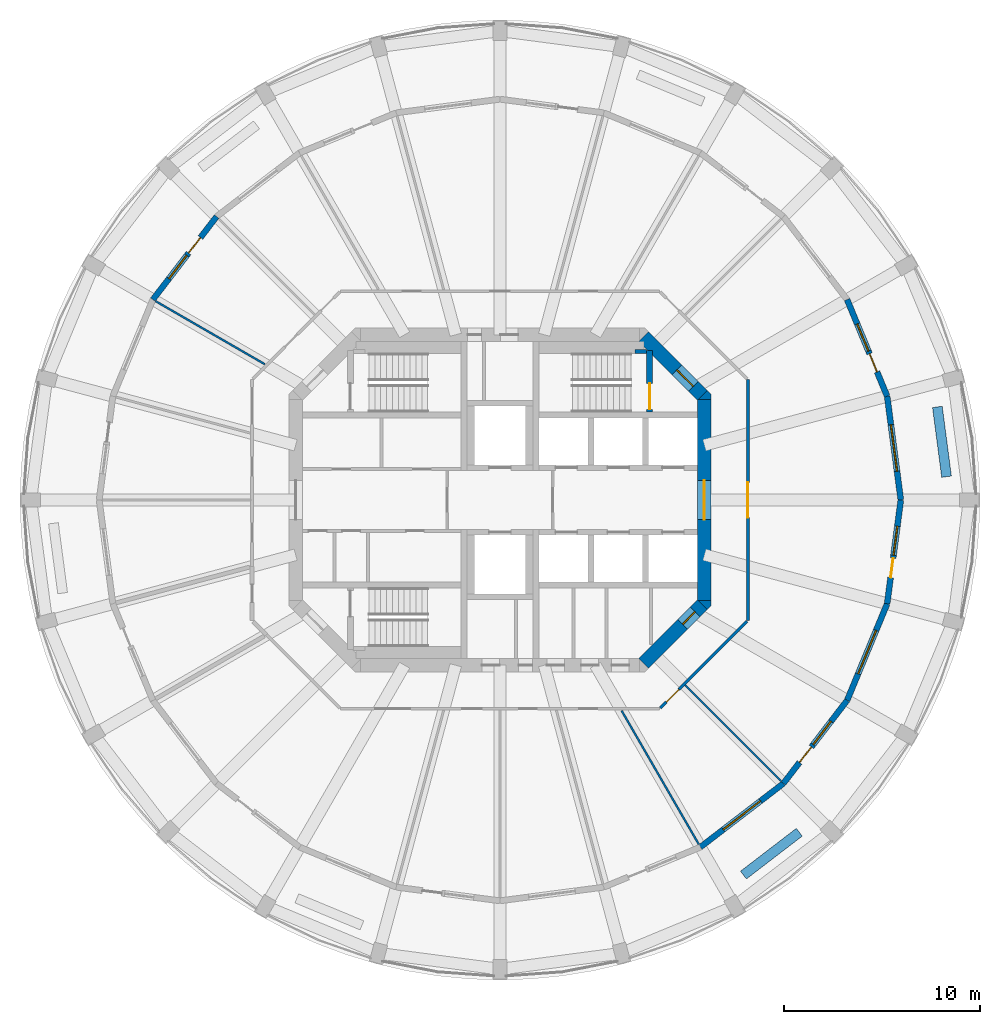
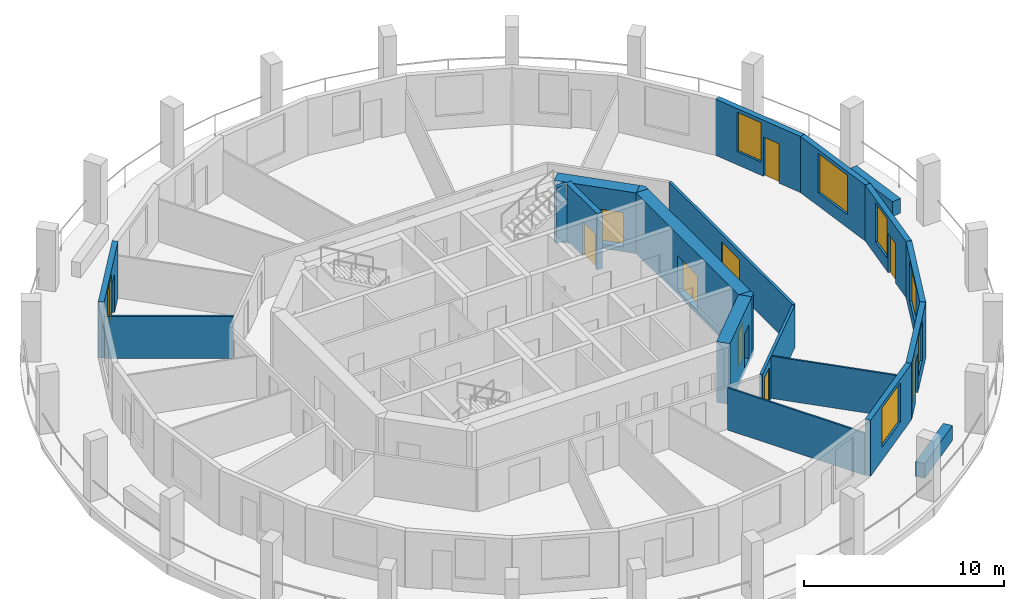
# One storey, part 5 of 9: 21 walls, 10 doors, 7 windows, 17 openings.
"""IFC4 building model written with IfcOpenShell, lengths in metres."""

from ifc_helpers import new_model, si_unit, direction, frame, frame_2d, origin, place, context, subcontext, project, spatial, polyline, rectangle, outline, extrude, material, layer, layer_set, type_object, element, fill, save


model = new_model("IFC4")

# Units and contexts
model_context = context("Model", 3, precision=1e-05, world=origin(), true_north=direction((0.0, 1.0)))
body_context = subcontext(model_context, "Body", "Model", "MODEL_VIEW")
ifc_project = project(units=[si_unit("LENGTHUNIT", "METRE"), si_unit("AREAUNIT", "SQUARE_METRE"), si_unit("VOLUMEUNIT", "CUBIC_METRE"), si_unit("PLANEANGLEUNIT", "RADIAN"), si_unit("MASSUNIT", "GRAM", prefix="KILO")], contexts=[model_context])

# Site, building, storey
site_placement = place(None, origin())
site = spatial("IfcSite", under=ifc_project, at=site_placement, CompositionType="ELEMENT")
building_placement = place(site_placement, origin())
building = spatial("IfcBuilding", under=site, at=building_placement, Name="Torre Triforio", CompositionType="ELEMENT")
storey_placement = place(building_placement, frame((0.0, 0.0, 237.199951171875)))
storey = spatial("IfcBuildingStorey", under=building, at=storey_placement, Name="L54", CompositionType="ELEMENT", Elevation=237.199951171875)

# Wall, opening, door
ifc_material_1 = material(Name="Concrete C50", Category="concrete")
ifc_layer_1 = layer(ifc_material_1, 0.699951171875)
ifc_layer_set_1 = layer_set([ifc_layer_1], Name="Concrete C50")
wall_type_1 = type_object("IfcWallType", Name="Core wall 700 mm C50 EI 120", PredefinedType="SHEAR", material=ifc_layer_set_1)
wall_1_placement = place(storey_placement, frame((10.449951171875, -5.1298828125, -0.280029296875), z_axis=(0.0, 0.0, 1.0), x_axis=(0.0, 1.0, 0.0)))
wall_1 = element("IfcWall", 1, at=wall_1_placement, inside=storey, type_object=wall_type_1, Name="Core wall", PredefinedType="SHEAR", context=body_context, shape_type="SweptSolid", body=[
    extrude(rectangle(XDim=10.259765625, YDim=0.699951171875, at=frame_2d((5.1298828125, 0.0))), origin(), (0.0, 0.0, 1.0), 3.7001953125),
])
opening_1_placement = place(wall_1_placement, frame((4.1298828125, 0.0, 0.280029296875)))
opening_1 = element("IfcOpeningElement", 2, at=opening_1_placement, cuts=wall_1, Name="Opening E-RING", PredefinedType="OPENING", context=body_context, shape_type="SweptSolid", body=[
    extrude(rectangle(XDim=2.0, YDim=2.10009765625, at=frame_2d((1.0, 1.050048828125))), frame((0.0, 0.35986328125, 0.0), z_axis=(0.0, -1.0, 0.0), x_axis=(1.0, 0.0, 0.0)), (0.0, 0.0, 1.0), 0.719970703125),
])
ifc_material_2 = material(Name="Hollow metal fire door leaf")
door_type_1 = type_object("IfcDoorType", Name="Lobby door 2000 x 2100 EI 60", OperationType="DOUBLE_DOOR_SINGLE_SWING", PredefinedType="DOOR", material=ifc_material_2)
door_1_placement = place(opening_1_placement, origin())
door_1 = element("IfcDoor", 3, at=door_1_placement, inside=storey, type_object=door_type_1, Name="Core door E-RING", OperationType="DOUBLE_DOOR_SINGLE_SWING", OverallHeight=2.10009765625, OverallWidth=2.0, PredefinedType="DOOR", context=body_context, shape_type="SweptSolid", body=[
    extrude(rectangle(XDim=2.0, YDim=2.10009765625, at=frame_2d((1.0, 1.050048828125))), frame((0.0, 0.02490234375, 0.0), z_axis=(0.0, -1.0, 0.0), x_axis=(1.0, 0.0, 0.0)), (0.0, 0.0, 1.0), 0.050048828125),
])
fill(opening_1, door_1)

wall_2_placement = place(storey_placement, frame((7.347412109375, 8.347412109375, -0.280029296875), z_axis=(0.0, 0.0, 1.0), x_axis=(0.707106781187, -0.707106781187, 0.0)))
wall_2 = element("IfcWall", 4, at=wall_2_placement, inside=storey, type_object=wall_type_1, Name="Core wall", PredefinedType="SHEAR", context=body_context, shape_type="SweptSolid", body=[
    extrude(rectangle(XDim=4.24267578125, YDim=0.699951171875, at=frame_2d((2.121337890625, 0.0))), origin(), (0.0, 0.0, 1.0), 3.7001953125),
])
opening_2_placement = place(wall_2_placement, frame((2.392578125, 0.0, 0.280029296875)))
opening_2 = element("IfcOpeningElement", 5, at=opening_2_placement, cuts=wall_2, Name="Opening ST2-EXIT", PredefinedType="OPENING", context=body_context, shape_type="SweptSolid", body=[
    extrude(rectangle(XDim=1.199951171875, YDim=2.10009765625, at=frame_2d((0.60009765625, 1.050048828125))), frame((0.0, 0.35986328125, 0.0), z_axis=(0.0, -1.0, 0.0), x_axis=(1.0, 0.0, 0.0)), (0.0, 0.0, 1.0), 0.719970703125),
])
door_type_2 = type_object("IfcDoorType", Name="Stair lobby door 1200 x 2100 EI 60", OperationType="NOTDEFINED", PredefinedType="DOOR", material=ifc_material_2)
door_2_placement = place(opening_2_placement, origin())
door_2 = element("IfcDoor", 6, at=door_2_placement, inside=storey, type_object=door_type_2, Name="Core door ST2-EXIT", OperationType="SINGLE_SWING_RIGHT", OverallHeight=2.10009765625, OverallWidth=1.199951171875, PredefinedType="DOOR", context=body_context, shape_type="SweptSolid", body=[
    extrude(rectangle(XDim=1.199951171875, YDim=2.10009765625, at=frame_2d((0.60009765625, 1.050048828125))), frame((0.0, 0.02490234375, 0.0), z_axis=(0.0, -1.0, 0.0), x_axis=(1.0, 0.0, 0.0)), (0.0, 0.0, 1.0), 0.050048828125),
])
fill(opening_2, door_2)

wall_3_placement = place(storey_placement, frame((10.347412109375, -5.347412109375, -0.280029296875), z_axis=(0.0, 0.0, 1.0), x_axis=(-0.707106781187, -0.707106781187, 0.0)))
wall_3 = element("IfcWall", 7, at=wall_3_placement, inside=storey, type_object=wall_type_1, Name="Core wall", PredefinedType="SHEAR", context=body_context, shape_type="SweptSolid", body=[
    extrude(rectangle(XDim=4.24267578125, YDim=0.699951171875, at=frame_2d((2.121337890625, 0.0))), origin(), (0.0, 0.0, 1.0), 3.7001953125),
])
opening_3_placement = place(wall_3_placement, frame((0.52001953125, 0.0, 0.280029296875)))
opening_3 = element("IfcOpeningElement", 8, at=opening_3_placement, cuts=wall_3, Name="Opening SE-04", PredefinedType="OPENING", context=body_context, shape_type="SweptSolid", body=[
    extrude(rectangle(XDim=0.89990234375, YDim=2.10009765625, at=frame_2d((0.449951171875, 1.050048828125))), frame((0.0, 0.35986328125, 0.0), z_axis=(0.0, -1.0, 0.0), x_axis=(1.0, 0.0, 0.0)), (0.0, 0.0, 1.0), 0.719970703125),
])
door_type_3 = type_object("IfcDoorType", Name="Room door 900 x 2100 EI 60", OperationType="NOTDEFINED", PredefinedType="DOOR", material=ifc_material_2)
door_3_placement = place(opening_3_placement, origin())
door_3 = element("IfcDoor", 9, at=door_3_placement, inside=storey, type_object=door_type_3, Name="Core door SE-04", OperationType="SINGLE_SWING_RIGHT", OverallHeight=2.10009765625, OverallWidth=0.89990234375, PredefinedType="DOOR", context=body_context, shape_type="SweptSolid", body=[
    extrude(rectangle(XDim=0.89990234375, YDim=2.10009765625, at=frame_2d((0.449951171875, 1.050048828125))), frame((0.0, 0.02490234375, 0.0), z_axis=(0.0, -1.0, 0.0), x_axis=(1.0, 0.0, 0.0)), (0.0, 0.0, 1.0), 0.050048828125),
])
fill(opening_3, door_3)

# Walls
wall_4_placement = place(storey_placement, frame((0.0, 0.0, -0.280029296875)))
element("IfcWall", 10, at=wall_4_placement, inside=storey, type_object=wall_type_1, Name="Core wall", PredefinedType="SHEAR", context=body_context, shape_type="SweptSolid", body=[
    extrude(outline(polyline([(10.800048828125, -5.389892578125), (10.594970703125, -5.594970703125), (10.594970703125, -5.594970703125), (10.594970703125, -5.594970703125), (10.1298828125, -5.1298828125), (10.800048828125, -5.1298828125), (10.800048828125, -5.1298828125), (10.800048828125, -5.389892578125)])), origin(), (0.0, 0.0, 1.0), 3.7001953125),
])
wall_5_placement = place(storey_placement, frame((0.0, 0.0, -0.280029296875)))
element("IfcWall", 11, at=wall_5_placement, inside=storey, type_object=wall_type_1, Name="Core wall", PredefinedType="SHEAR", context=body_context, shape_type="SweptSolid", body=[
    extrude(outline(polyline([(10.800048828125, 5.389892578125), (10.800048828125, 5.1298828125), (10.800048828125, 5.1298828125), (10.1298828125, 5.1298828125), (10.594970703125, 5.594970703125), (10.594970703125, 5.594970703125), (10.594970703125, 5.594970703125), (10.800048828125, 5.389892578125)])), origin(), (0.0, 0.0, 1.0), 3.7001953125),
])

# Wall, opening, door
ifc_material_3 = material(Name="Plasterboard on metal studs")
ifc_layer_2 = layer(ifc_material_3, 0.14990234375)
ifc_layer_set_2 = layer_set([ifc_layer_2], Name="Plasterboard on metal studs")
wall_type_2 = type_object("IfcWallType", Name="Corridor and tenancy wall 150 mm EI 60", PredefinedType="PARTITIONING", material=ifc_layer_set_2)
wall_6_placement = place(storey_placement, frame((12.637939453125, -6.20361328125, 0.0), z_axis=(0.0, 0.0, 1.0), x_axis=(-0.707106781187, -0.707106781187, 0.0)))
wall_6 = element("IfcWall", 12, at=wall_6_placement, inside=storey, type_object=wall_type_2, Name="Partition 1", PredefinedType="PARTITIONING", context=body_context, shape_type="SweptSolid", body=[
    extrude(rectangle(XDim=6.27099609375, YDim=0.14990234375, at=frame_2d((3.135498046875, 0.0))), origin(), (0.0, 0.0, 1.0), 2.570068359375),
])
opening_4_placement = place(wall_6_placement, frame((4.935302734375, 0.0, 0.0)))
opening_4 = element("IfcOpeningElement", 13, at=opening_4_placement, cuts=wall_6, Name="Opening O8-05", PredefinedType="OPENING", context=body_context, shape_type="SweptSolid", body=[
    extrude(rectangle(XDim=0.89990234375, YDim=2.10009765625, at=frame_2d((0.449951171875, 1.050048828125))), frame((0.0, 0.0849609375, 0.0), z_axis=(0.0, -1.0, 0.0), x_axis=(1.0, 0.0, 0.0)), (0.0, 0.0, 1.0), 0.169921875),
])
ifc_material_4 = material(Name="Timber", Category="wood")
door_type_4 = type_object("IfcDoorType", Name="Door 900 x 2100 single leaf EI 30", OperationType="NOTDEFINED", PredefinedType="DOOR", material=ifc_material_4)
door_4_placement = place(opening_4_placement, origin())
door_4 = element("IfcDoor", 14, at=door_4_placement, inside=storey, type_object=door_type_4, Name="Door O8-05", OperationType="SINGLE_SWING_LEFT", OverallHeight=2.10009765625, OverallWidth=0.89990234375, PredefinedType="DOOR", context=body_context, shape_type="SweptSolid", body=[
    extrude(rectangle(XDim=0.89990234375, YDim=2.10009765625, at=frame_2d((0.449951171875, 1.050048828125))), frame((0.0, 0.02490234375, 0.0), z_axis=(0.0, -1.0, 0.0), x_axis=(1.0, 0.0, 0.0)), (0.0, 0.0, 1.0), 0.050048828125),
])
fill(opening_4, door_4)

wall_7_placement = place(storey_placement, frame((12.675048828125, 6.16650390625, 0.0), z_axis=(0.0, 0.0, 1.0), x_axis=(0.0, -1.0, 0.0)))
wall_7 = element("IfcWall", 15, at=wall_7_placement, inside=storey, type_object=wall_type_2, Name="Partition 10", PredefinedType="PARTITIONING", context=body_context, shape_type="SweptSolid", body=[
    extrude(rectangle(XDim=12.3330078125, YDim=0.14990234375, at=frame_2d((6.16650390625, 0.0))), origin(), (0.0, 0.0, 1.0), 2.570068359375),
])
opening_5_placement = place(wall_7_placement, frame((5.2666015625, 0.0, 0.0)))
opening_5 = element("IfcOpeningElement", 16, at=opening_5_placement, cuts=wall_7, Name="Opening O8-06", PredefinedType="OPENING", context=body_context, shape_type="SweptSolid", body=[
    extrude(rectangle(XDim=1.800048828125, YDim=2.10009765625, at=frame_2d((0.89990234375, 1.050048828125))), frame((0.0, 0.0849609375, 0.0), z_axis=(0.0, -1.0, 0.0), x_axis=(1.0, 0.0, 0.0)), (0.0, 0.0, 1.0), 0.169921875),
])
door_type_5 = type_object("IfcDoorType", Name="Door 1800 x 2100 double leaf EI 30", OperationType="DOUBLE_DOOR_SINGLE_SWING", PredefinedType="DOOR", material=ifc_material_4)
door_5_placement = place(opening_5_placement, origin())
door_5 = element("IfcDoor", 17, at=door_5_placement, inside=storey, type_object=door_type_5, Name="Door O8-06", OperationType="DOUBLE_DOOR_SINGLE_SWING", OverallHeight=2.10009765625, OverallWidth=1.800048828125, PredefinedType="DOOR", context=body_context, shape_type="SweptSolid", body=[
    extrude(rectangle(XDim=1.800048828125, YDim=2.10009765625, at=frame_2d((0.89990234375, 1.050048828125))), frame((0.0, 0.02490234375, 0.0), z_axis=(0.0, -1.0, 0.0), x_axis=(1.0, 0.0, 0.0)), (0.0, 0.0, 1.0), 0.050048828125),
])
fill(opening_5, door_5)

# Walls
ifc_layer_3 = layer(ifc_material_3, 0.10009765625)
ifc_layer_set_3 = layer_set([ifc_layer_3], Name="Plasterboard on metal studs")
wall_type_3 = type_object("IfcWallType", Name="Partition 100 mm board on metal studs", PredefinedType="PARTITIONING", material=ifc_layer_set_3)
wall_8_placement = place(storey_placement, frame((-12.025146484375, 6.94287109375, 0.0), z_axis=(0.0, 0.0, 1.0), x_axis=(-0.866026773083, 0.499997628298, 0.0)))
element("IfcWall", 18, at=wall_8_placement, inside=storey, type_object=wall_type_3, Name="Partition 17", PredefinedType="PARTITIONING", context=body_context, shape_type="SweptSolid", body=[
    extrude(rectangle(XDim=6.451171875, YDim=0.10009765625, at=frame_2d((3.2255859375, 0.0))), origin(), (0.0, 0.0, 1.0), 2.570068359375),
])
wall_9_placement = place(storey_placement, frame((6.220703125, -10.774658203125, 0.0), z_axis=(0.0, 0.0, 1.0), x_axis=(0.500016891966, -0.866015650984, 0.0)))
element("IfcWall", 19, at=wall_9_placement, inside=storey, type_object=wall_type_3, Name="Partition 25", PredefinedType="PARTITIONING", context=body_context, shape_type="SweptSolid", body=[
    extrude(rectangle(XDim=7.895263671875, YDim=0.10009765625, at=frame_2d((3.94775390625, 0.0))), origin(), (0.0, 0.0, 1.0), 2.570068359375),
])
wall_10_placement = place(storey_placement, frame((9.473876953125, -9.473876953125, 0.0), z_axis=(0.0, 0.0, 1.0), x_axis=(0.707106781187, -0.707106781187, 0.0)))
element("IfcWall", 20, at=wall_10_placement, inside=storey, type_object=wall_type_3, Name="Partition 26", PredefinedType="PARTITIONING", context=body_context, shape_type="SweptSolid", body=[
    extrude(rectangle(XDim=6.9384765625, YDim=0.10009765625, at=frame_2d((3.46923828125, 0.0))), origin(), (0.0, 0.0, 1.0), 2.570068359375),
])
ifc_material_5 = material(Name="Limestone cladding", Category="masonry")
ifc_layer_4 = layer(ifc_material_5, 0.10009765625)
ifc_material_6 = material(Name="Concrete C40", Category="concrete")
ifc_layer_5 = layer(ifc_material_6, 0.39990234375)
ifc_layer_set_4 = layer_set([ifc_layer_4, ifc_layer_5], Name="Limestone cladding / Concrete C40")
wall_type_4 = type_object("IfcWallType", Name="Planter wall 500", PredefinedType="PARAPET", material=ifc_layer_set_4)
wall_11_placement = place(storey_placement, frame((22.83984375, 1.19140625, 0.0), z_axis=(0.0, 0.0, 1.0), x_axis=(-0.130484336385, 0.9914503709, 0.0)))
element("IfcWall", 21, at=wall_11_placement, inside=storey, type_object=wall_type_4, Name="Planter L54 bay 01", PredefinedType="PARAPET", context=body_context, shape_type="SweptSolid", body=[
    extrude(rectangle(XDim=3.599853515625, YDim=0.5, at=frame_2d((1.7998046875, 0.0))), origin(), (0.0, 0.0, 1.0), 0.900146484375),
])
wall_12_placement = place(storey_placement, frame((12.45166015625, -19.18408203125, 0.0), z_axis=(0.0, 0.0, 1.0), x_axis=(0.793384730612, 0.608720518162, 0.0)))
element("IfcWall", 22, at=wall_12_placement, inside=storey, type_object=wall_type_4, Name="Planter L54 bay 21", PredefinedType="PARAPET", context=body_context, shape_type="SweptSolid", body=[
    extrude(rectangle(XDim=3.60009765625, YDim=0.5, at=frame_2d((1.800048828125, 0.0))), origin(), (0.0, 0.0, 1.0), 0.900146484375),
])
ifc_layer_6 = layer(ifc_material_1, 0.199951171875)
ifc_layer_set_5 = layer_set([ifc_layer_6], Name="Concrete C50")
wall_type_5 = type_object("IfcWallType", Name="Stair wall 200 mm C50 EI 120", PredefinedType="SHEAR", material=ifc_layer_set_5)
wall_13_placement = place(storey_placement, frame((6.89990234375, 7.60009765625, 0.0), z_axis=(0.0, 0.0, 1.0), x_axis=(1.0, 0.0, 0.0)))
element("IfcWall", 23, at=wall_13_placement, inside=storey, type_object=wall_type_5, Name="Stair wall", PredefinedType="SHEAR", context=body_context, shape_type="SweptSolid", body=[
    extrude(rectangle(XDim=0.60009765625, YDim=0.199951171875, at=frame_2d((0.300048828125, 0.0))), origin(), (0.0, 0.0, 1.0), 3.420166015625),
])

# Wall, opening, door
ifc_layer_7 = layer(ifc_material_1, 0.300048828125)
ifc_layer_set_6 = layer_set([ifc_layer_7], Name="Concrete C50")
wall_type_6 = type_object("IfcWallType", Name="Stair wall 300 mm C50 EI 120", PredefinedType="SHEAR", material=ifc_layer_set_6)
wall_14_placement = place(storey_placement, frame((7.64990234375, 4.5, 0.0), z_axis=(0.0, 0.0, 1.0), x_axis=(0.0, 1.0, 0.0)))
wall_14 = element("IfcWall", 24, at=wall_14_placement, inside=storey, type_object=wall_type_6, Name="Stair wall", PredefinedType="SHEAR", context=body_context, shape_type="SweptSolid", body=[
    extrude(rectangle(XDim=3.139892578125, YDim=0.300048828125, at=frame_2d((1.56982421875, 0.0))), origin(), (0.0, 0.0, 1.0), 3.420166015625),
])
opening_6_placement = place(wall_14_placement, frame((0.139892578125, 0.0, 0.0)))
opening_6 = element("IfcOpeningElement", 25, at=opening_6_placement, cuts=wall_14, Name="Opening ST2-STA", PredefinedType="OPENING", context=body_context, shape_type="SweptSolid", body=[
    extrude(rectangle(XDim=1.320068359375, YDim=2.10009765625, at=frame_2d((0.66015625, 1.050048828125))), frame((0.0, 0.159912109375, 0.0), z_axis=(0.0, -1.0, 0.0), x_axis=(1.0, 0.0, 0.0)), (0.0, 0.0, 1.0), 0.320068359375),
])
door_type_6 = type_object("IfcDoorType", Name="Stair door 1320 x 2100 EI 90", OperationType="DOUBLE_DOOR_SINGLE_SWING", PredefinedType="DOOR", material=ifc_material_2)
door_6_placement = place(opening_6_placement, origin())
door_6 = element("IfcDoor", 26, at=door_6_placement, inside=storey, type_object=door_type_6, Name="Core door ST2-ST", OperationType="DOUBLE_DOOR_SINGLE_SWING", OverallHeight=2.10009765625, OverallWidth=1.320068359375, PredefinedType="DOOR", context=body_context, shape_type="SweptSolid", body=[
    extrude(rectangle(XDim=1.320068359375, YDim=2.10009765625, at=frame_2d((0.66015625, 1.050048828125))), frame((0.0, 0.02490234375, 0.0), z_axis=(0.0, -1.0, 0.0), x_axis=(1.0, 0.0, 0.0)), (0.0, 0.0, 1.0), 0.050048828125),
])
fill(opening_6, door_6)

# Wall, opening, window
ifc_layer_8 = layer(ifc_material_5, 0.10009765625)
ifc_layer_9 = layer(ifc_material_6, 0.199951171875)
ifc_layer_set_7 = layer_set([ifc_layer_8, ifc_layer_9], Name="Limestone cladding / Concrete C40")
wall_type_7 = type_object("IfcWallType", Name="Stone-faced composite wall 300", PredefinedType="STANDARD", material=ifc_layer_set_7)
wall_15_placement = place(storey_placement, frame((20.5, 0.0, 0.0), z_axis=(0.0, 0.0, 1.0), x_axis=(-0.130517056518, 0.991446064069, 0.0)))
wall_15 = element("IfcWall", 27, at=wall_15_placement, inside=storey, type_object=wall_type_7, Name="External wall L54 bay 01", PredefinedType="STANDARD", context=body_context, shape_type="SweptSolid", body=[
    extrude(rectangle(XDim=5.351806640625, YDim=0.300048828125, at=frame_2d((2.67578125, 0.0))), origin(), (0.0, 0.0, 1.0), 3.420166015625),
])
opening_7_placement = place(wall_15_placement, frame((1.475830078125, 0.0, 0.800048828125)))
opening_7 = element("IfcOpeningElement", 28, at=opening_7_placement, cuts=wall_15, Name="Opening O8-W01", PredefinedType="OPENING", context=body_context, shape_type="SweptSolid", body=[
    extrude(rectangle(XDim=2.39990234375, YDim=2.39990234375, at=frame_2d((1.199951171875, 1.199951171875))), frame((0.0, 0.159912109375, 0.0), z_axis=(0.0, -1.0, 0.0), x_axis=(1.0, 0.0, 0.0)), (0.0, 0.0, 1.0), 0.320068359375),
])
ifc_material_7 = material(Name="Aluminium frame with clear double glazing", Category="aluminium")
window_type_1 = type_object("IfcWindowType", Name="Punched window 2400 x 2400", PartitioningType="DOUBLE_PANEL_VERTICAL", PredefinedType="WINDOW", material=ifc_material_7)
window_1_placement = place(opening_7_placement, origin())
window_1 = element("IfcWindow", 29, at=window_1_placement, inside=storey, type_object=window_type_1, Name="Window EWN4 L54 bay 01", OverallHeight=2.39990234375, OverallWidth=2.39990234375, PartitioningType="SINGLE_PANEL", PredefinedType="WINDOW", context=body_context, shape_type="SweptSolid", body=[
    extrude(rectangle(XDim=2.39990234375, YDim=2.39990234375, at=frame_2d((1.199951171875, 1.199951171875))), frame((0.0, 0.030029296875, 0.0), z_axis=(0.0, -1.0, 0.0), x_axis=(1.0, 0.0, 0.0)), (0.0, 0.0, 1.0), 0.06005859375),
])
fill(opening_7, window_1)

# Wall, openings, door, window
wall_16_placement = place(storey_placement, frame((19.801513671875, 5.305908203125, 0.0), z_axis=(0.0, 0.0, 1.0), x_axis=(-0.382713071139, 0.923867255172, 0.0)))
wall_16 = element("IfcWall", 30, at=wall_16_placement, inside=storey, type_object=wall_type_7, Name="External wall L54 bay 02", PredefinedType="STANDARD", context=body_context, shape_type="SweptSolid", body=[
    extrude(rectangle(XDim=5.3515625, YDim=0.300048828125, at=frame_2d((2.67578125, 0.0))), origin(), (0.0, 0.0, 1.0), 3.420166015625),
])
opening_8_placement = place(wall_16_placement, frame((1.350830078125, 0.0, 0.0)))
opening_8 = element("IfcOpeningElement", 31, at=opening_8_placement, cuts=wall_16, Name="Opening O8-D02", PredefinedType="OPENING", context=body_context, shape_type="SweptSolid", body=[
    extrude(rectangle(XDim=1.0, YDim=2.39990234375, at=frame_2d((0.5, 1.199951171875))), frame((0.0, 0.159912109375, 0.0), z_axis=(0.0, -1.0, 0.0), x_axis=(1.0, 0.0, 0.0)), (0.0, 0.0, 1.0), 0.320068359375),
])
opening_9_placement = place(wall_16_placement, frame((2.500732421875, 0.0, 0.800048828125)))
opening_9 = element("IfcOpeningElement", 32, at=opening_9_placement, cuts=wall_16, Name="Opening O8-W02A", PredefinedType="OPENING", context=body_context, shape_type="SweptSolid", body=[
    extrude(rectangle(XDim=1.5, YDim=2.39990234375, at=frame_2d((0.75, 1.199951171875))), frame((0.0, 0.159912109375, 0.0), z_axis=(0.0, -1.0, 0.0), x_axis=(1.0, 0.0, 0.0)), (0.0, 0.0, 1.0), 0.320068359375),
])
door_type_7 = type_object("IfcDoorType", Name="Loggia door 1000 x 2400", OperationType="NOTDEFINED", PredefinedType="DOOR", material=ifc_material_7)
door_7_placement = place(opening_8_placement, origin())
door_7 = element("IfcDoor", 33, at=door_7_placement, inside=storey, type_object=door_type_7, Name="Loggia door L54 bay 02", OperationType="SINGLE_SWING_LEFT", OverallHeight=2.39990234375, OverallWidth=1.0, PredefinedType="DOOR", context=body_context, shape_type="SweptSolid", body=[
    extrude(rectangle(XDim=1.0, YDim=2.39990234375, at=frame_2d((0.5, 1.199951171875))), frame((0.0, 0.02490234375, 0.0), z_axis=(0.0, -1.0, 0.0), x_axis=(1.0, 0.0, 0.0)), (0.0, 0.0, 1.0), 0.050048828125),
])
fill(opening_8, door_7)
window_type_2 = type_object("IfcWindowType", Name="Side window 1500 x 2400", PartitioningType="SINGLE_PANEL", PredefinedType="WINDOW", material=ifc_material_7)
window_2_placement = place(opening_9_placement, origin())
window_2 = element("IfcWindow", 34, at=window_2_placement, inside=storey, type_object=window_type_2, Name="Side window EWN14 L54 bay 02", OverallHeight=2.39990234375, OverallWidth=1.5, PartitioningType="SINGLE_PANEL", PredefinedType="WINDOW", context=body_context, shape_type="SweptSolid", body=[
    extrude(rectangle(XDim=1.5, YDim=2.39990234375, at=frame_2d((0.75, 1.199951171875))), frame((0.0, 0.030029296875, 0.0), z_axis=(0.0, -1.0, 0.0), x_axis=(1.0, 0.0, 0.0)), (0.0, 0.0, 1.0), 0.06005859375),
])
fill(opening_9, window_2)

wall_17_placement = place(storey_placement, frame((-14.49560546875, 14.49560546875, 0.0), z_axis=(0.0, 0.0, 1.0), x_axis=(-0.60876670321, -0.793349293227, 0.0)))
wall_17 = element("IfcWall", 35, at=wall_17_placement, inside=storey, type_object=wall_type_7, Name="External wall L54 bay 10", PredefinedType="STANDARD", context=body_context, shape_type="SweptSolid", body=[
    extrude(rectangle(XDim=5.3515625, YDim=0.300048828125, at=frame_2d((2.67578125, 0.0))), origin(), (0.0, 0.0, 1.0), 3.420166015625),
])
opening_10_placement = place(wall_17_placement, frame((1.350830078125, 0.0, 0.0)))
opening_10 = element("IfcOpeningElement", 36, at=opening_10_placement, cuts=wall_17, Name="Opening O8-D10", PredefinedType="OPENING", context=body_context, shape_type="SweptSolid", body=[
    extrude(rectangle(XDim=1.0, YDim=2.39990234375, at=frame_2d((0.5, 1.199951171875))), frame((0.0, 0.159912109375, 0.0), z_axis=(0.0, -1.0, 0.0), x_axis=(1.0, 0.0, 0.0)), (0.0, 0.0, 1.0), 0.320068359375),
])
opening_11_placement = place(wall_17_placement, frame((2.500732421875, 0.0, 0.800048828125)))
opening_11 = element("IfcOpeningElement", 37, at=opening_11_placement, cuts=wall_17, Name="Opening O8-W10A", PredefinedType="OPENING", context=body_context, shape_type="SweptSolid", body=[
    extrude(rectangle(XDim=1.5, YDim=2.39990234375, at=frame_2d((0.75, 1.199951171875))), frame((0.0, 0.159912109375, 0.0), z_axis=(0.0, -1.0, 0.0), x_axis=(1.0, 0.0, 0.0)), (0.0, 0.0, 1.0), 0.320068359375),
])
door_8_placement = place(opening_10_placement, origin())
door_8 = element("IfcDoor", 38, at=door_8_placement, inside=storey, type_object=door_type_7, Name="Loggia door L54 bay 10", OperationType="SINGLE_SWING_LEFT", OverallHeight=2.39990234375, OverallWidth=1.0, PredefinedType="DOOR", context=body_context, shape_type="SweptSolid", body=[
    extrude(rectangle(XDim=1.0, YDim=2.39990234375, at=frame_2d((0.5, 1.199951171875))), frame((0.0, 0.02490234375, 0.0), z_axis=(0.0, -1.0, 0.0), x_axis=(1.0, 0.0, 0.0)), (0.0, 0.0, 1.0), 0.050048828125),
])
fill(opening_10, door_8)
window_3_placement = place(opening_11_placement, origin())
window_3 = element("IfcWindow", 39, at=window_3_placement, inside=storey, type_object=window_type_2, Name="Side window EWN14 L54 bay 10", OverallHeight=2.39990234375, OverallWidth=1.5, PartitioningType="SINGLE_PANEL", PredefinedType="WINDOW", context=body_context, shape_type="SweptSolid", body=[
    extrude(rectangle(XDim=1.5, YDim=2.39990234375, at=frame_2d((0.75, 1.199951171875))), frame((0.0, 0.030029296875, 0.0), z_axis=(0.0, -1.0, 0.0), x_axis=(1.0, 0.0, 0.0)), (0.0, 0.0, 1.0), 0.06005859375),
])
fill(opening_11, window_3)

# Wall, opening, window
wall_18_placement = place(storey_placement, frame((10.25, -17.75341796875, 0.0), z_axis=(0.0, 0.0, 1.0), x_axis=(0.793349293227, 0.60876670321, 0.0)))
wall_18 = element("IfcWall", 40, at=wall_18_placement, inside=storey, type_object=wall_type_7, Name="External wall L54 bay 21", PredefinedType="STANDARD", context=body_context, shape_type="SweptSolid", body=[
    extrude(rectangle(XDim=5.3515625, YDim=0.300048828125, at=frame_2d((2.67578125, 0.0))), origin(), (0.0, 0.0, 1.0), 3.420166015625),
])
opening_12_placement = place(wall_18_placement, frame((1.475830078125, 0.0, 0.800048828125)))
opening_12 = element("IfcOpeningElement", 41, at=opening_12_placement, cuts=wall_18, Name="Opening O8-W21", PredefinedType="OPENING", context=body_context, shape_type="SweptSolid", body=[
    extrude(rectangle(XDim=2.39990234375, YDim=2.39990234375, at=frame_2d((1.199951171875, 1.199951171875))), frame((0.0, 0.159912109375, 0.0), z_axis=(0.0, -1.0, 0.0), x_axis=(1.0, 0.0, 0.0)), (0.0, 0.0, 1.0), 0.320068359375),
])
window_4_placement = place(opening_12_placement, origin())
window_4 = element("IfcWindow", 42, at=window_4_placement, inside=storey, type_object=window_type_1, Name="Window EWN4 L54 bay 21", OverallHeight=2.39990234375, OverallWidth=2.39990234375, PartitioningType="SINGLE_PANEL", PredefinedType="WINDOW", context=body_context, shape_type="SweptSolid", body=[
    extrude(rectangle(XDim=2.39990234375, YDim=2.39990234375, at=frame_2d((1.199951171875, 1.199951171875))), frame((0.0, 0.030029296875, 0.0), z_axis=(0.0, -1.0, 0.0), x_axis=(1.0, 0.0, 0.0)), (0.0, 0.0, 1.0), 0.06005859375),
])
fill(opening_12, window_4)

# Wall, openings, door, window
wall_19_placement = place(storey_placement, frame((14.49560546875, -14.49560546875, 0.0), z_axis=(0.0, 0.0, 1.0), x_axis=(0.60876670321, 0.793349293227, 0.0)))
wall_19 = element("IfcWall", 43, at=wall_19_placement, inside=storey, type_object=wall_type_7, Name="External wall L54 bay 22", PredefinedType="STANDARD", context=body_context, shape_type="SweptSolid", body=[
    extrude(rectangle(XDim=5.3515625, YDim=0.300048828125, at=frame_2d((2.67578125, 0.0))), origin(), (0.0, 0.0, 1.0), 3.420166015625),
])
opening_13_placement = place(wall_19_placement, frame((1.350830078125, 0.0, 0.0)))
opening_13 = element("IfcOpeningElement", 44, at=opening_13_placement, cuts=wall_19, Name="Opening O8-D22", PredefinedType="OPENING", context=body_context, shape_type="SweptSolid", body=[
    extrude(rectangle(XDim=1.0, YDim=2.39990234375, at=frame_2d((0.5, 1.199951171875))), frame((0.0, 0.159912109375, 0.0), z_axis=(0.0, -1.0, 0.0), x_axis=(1.0, 0.0, 0.0)), (0.0, 0.0, 1.0), 0.320068359375),
])
opening_14_placement = place(wall_19_placement, frame((2.500732421875, 0.0, 0.800048828125)))
opening_14 = element("IfcOpeningElement", 45, at=opening_14_placement, cuts=wall_19, Name="Opening O8-W22A", PredefinedType="OPENING", context=body_context, shape_type="SweptSolid", body=[
    extrude(rectangle(XDim=1.5, YDim=2.39990234375, at=frame_2d((0.75, 1.199951171875))), frame((0.0, 0.159912109375, 0.0), z_axis=(0.0, -1.0, 0.0), x_axis=(1.0, 0.0, 0.0)), (0.0, 0.0, 1.0), 0.320068359375),
])
door_9_placement = place(opening_13_placement, origin())
door_9 = element("IfcDoor", 46, at=door_9_placement, inside=storey, type_object=door_type_7, Name="Loggia door L54 bay 22", OperationType="SINGLE_SWING_LEFT", OverallHeight=2.39990234375, OverallWidth=1.0, PredefinedType="DOOR", context=body_context, shape_type="SweptSolid", body=[
    extrude(rectangle(XDim=1.0, YDim=2.39990234375, at=frame_2d((0.5, 1.199951171875))), frame((0.0, 0.02490234375, 0.0), z_axis=(0.0, -1.0, 0.0), x_axis=(1.0, 0.0, 0.0)), (0.0, 0.0, 1.0), 0.050048828125),
])
fill(opening_13, door_9)
window_5_placement = place(opening_14_placement, origin())
window_5 = element("IfcWindow", 47, at=window_5_placement, inside=storey, type_object=window_type_2, Name="Side window EWN14 L54 bay 22", OverallHeight=2.39990234375, OverallWidth=1.5, PartitioningType="SINGLE_PANEL", PredefinedType="WINDOW", context=body_context, shape_type="SweptSolid", body=[
    extrude(rectangle(XDim=1.5, YDim=2.39990234375, at=frame_2d((0.75, 1.199951171875))), frame((0.0, 0.030029296875, 0.0), z_axis=(0.0, -1.0, 0.0), x_axis=(1.0, 0.0, 0.0)), (0.0, 0.0, 1.0), 0.06005859375),
])
fill(opening_14, window_5)

# Wall, opening, window
wall_20_placement = place(storey_placement, frame((17.75341796875, -10.25, 0.0), z_axis=(0.0, 0.0, 1.0), x_axis=(0.382713071139, 0.923867255172, 0.0)))
wall_20 = element("IfcWall", 48, at=wall_20_placement, inside=storey, type_object=wall_type_7, Name="External wall L54 bay 23", PredefinedType="STANDARD", context=body_context, shape_type="SweptSolid", body=[
    extrude(rectangle(XDim=5.3515625, YDim=0.300048828125, at=frame_2d((2.67578125, 0.0))), origin(), (0.0, 0.0, 1.0), 3.420166015625),
])
opening_15_placement = place(wall_20_placement, frame((1.475830078125, 0.0, 0.800048828125)))
opening_15 = element("IfcOpeningElement", 49, at=opening_15_placement, cuts=wall_20, Name="Opening O8-W23", PredefinedType="OPENING", context=body_context, shape_type="SweptSolid", body=[
    extrude(rectangle(XDim=2.39990234375, YDim=2.39990234375, at=frame_2d((1.199951171875, 1.199951171875))), frame((0.0, 0.159912109375, 0.0), z_axis=(0.0, -1.0, 0.0), x_axis=(1.0, 0.0, 0.0)), (0.0, 0.0, 1.0), 0.320068359375),
])
window_6_placement = place(opening_15_placement, origin())
window_6 = element("IfcWindow", 50, at=window_6_placement, inside=storey, type_object=window_type_1, Name="Window EWN4 L54 bay 23", OverallHeight=2.39990234375, OverallWidth=2.39990234375, PartitioningType="SINGLE_PANEL", PredefinedType="WINDOW", context=body_context, shape_type="SweptSolid", body=[
    extrude(rectangle(XDim=2.39990234375, YDim=2.39990234375, at=frame_2d((1.199951171875, 1.199951171875))), frame((0.0, 0.030029296875, 0.0), z_axis=(0.0, -1.0, 0.0), x_axis=(1.0, 0.0, 0.0)), (0.0, 0.0, 1.0), 0.06005859375),
])
fill(opening_15, window_6)

# Wall, openings, door, window
wall_21_placement = place(storey_placement, frame((19.801513671875, -5.305908203125, 0.0), z_axis=(0.0, 0.0, 1.0), x_axis=(0.130517056518, 0.991446064069, 0.0)))
wall_21 = element("IfcWall", 51, at=wall_21_placement, inside=storey, type_object=wall_type_7, Name="External wall L54 bay 24", PredefinedType="STANDARD", context=body_context, shape_type="SweptSolid", body=[
    extrude(rectangle(XDim=5.351806640625, YDim=0.300048828125, at=frame_2d((2.67578125, 0.0))), origin(), (0.0, 0.0, 1.0), 3.420166015625),
])
opening_16_placement = place(wall_21_placement, frame((1.350830078125, 0.0, 0.0)))
opening_16 = element("IfcOpeningElement", 52, at=opening_16_placement, cuts=wall_21, Name="Opening O8-D24", PredefinedType="OPENING", context=body_context, shape_type="SweptSolid", body=[
    extrude(rectangle(XDim=1.0, YDim=2.39990234375, at=frame_2d((0.5, 1.199951171875))), frame((0.0, 0.159912109375, 0.0), z_axis=(0.0, -1.0, 0.0), x_axis=(1.0, 0.0, 0.0)), (0.0, 0.0, 1.0), 0.320068359375),
])
opening_17_placement = place(wall_21_placement, frame((2.500732421875, 0.0, 0.800048828125)))
opening_17 = element("IfcOpeningElement", 53, at=opening_17_placement, cuts=wall_21, Name="Opening O8-W24A", PredefinedType="OPENING", context=body_context, shape_type="SweptSolid", body=[
    extrude(rectangle(XDim=1.5, YDim=2.39990234375, at=frame_2d((0.75, 1.199951171875))), frame((0.0, 0.159912109375, 0.0), z_axis=(0.0, -1.0, 0.0), x_axis=(1.0, 0.0, 0.0)), (0.0, 0.0, 1.0), 0.320068359375),
])
door_10_placement = place(opening_16_placement, origin())
door_10 = element("IfcDoor", 54, at=door_10_placement, inside=storey, type_object=door_type_7, Name="Loggia door L54 bay 24", OperationType="SINGLE_SWING_LEFT", OverallHeight=2.39990234375, OverallWidth=1.0, PredefinedType="DOOR", context=body_context, shape_type="SweptSolid", body=[
    extrude(rectangle(XDim=1.0, YDim=2.39990234375, at=frame_2d((0.5, 1.199951171875))), frame((0.0, 0.02490234375, 0.0), z_axis=(0.0, -1.0, 0.0), x_axis=(1.0, 0.0, 0.0)), (0.0, 0.0, 1.0), 0.050048828125),
])
fill(opening_16, door_10)
window_7_placement = place(opening_17_placement, origin())
window_7 = element("IfcWindow", 55, at=window_7_placement, inside=storey, type_object=window_type_2, Name="Side window EWN14 L54 bay 24", OverallHeight=2.39990234375, OverallWidth=1.5, PartitioningType="SINGLE_PANEL", PredefinedType="WINDOW", context=body_context, shape_type="SweptSolid", body=[
    extrude(rectangle(XDim=1.5, YDim=2.39990234375, at=frame_2d((0.75, 1.199951171875))), frame((0.0, 0.030029296875, 0.0), z_axis=(0.0, -1.0, 0.0), x_axis=(1.0, 0.0, 0.0)), (0.0, 0.0, 1.0), 0.06005859375),
])
fill(opening_17, window_7)

save(model, "model.ifc")
